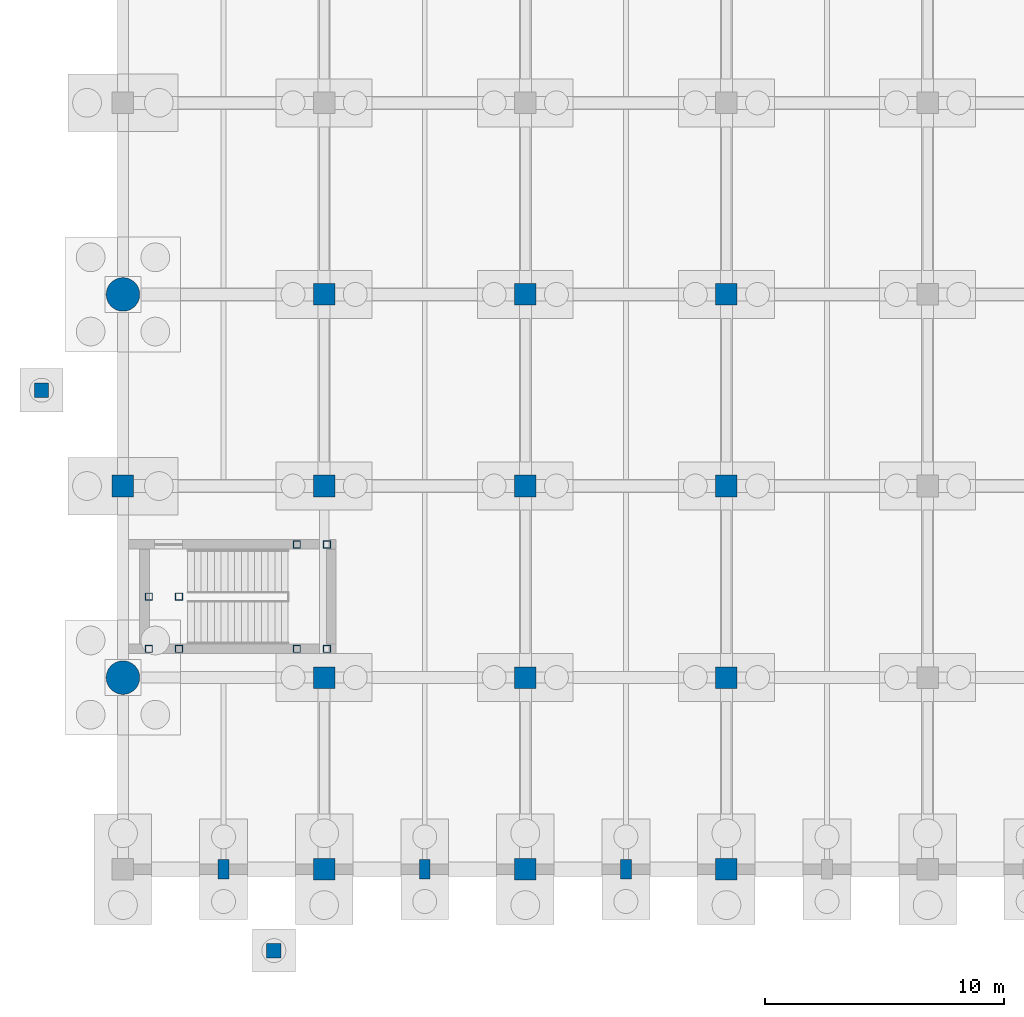
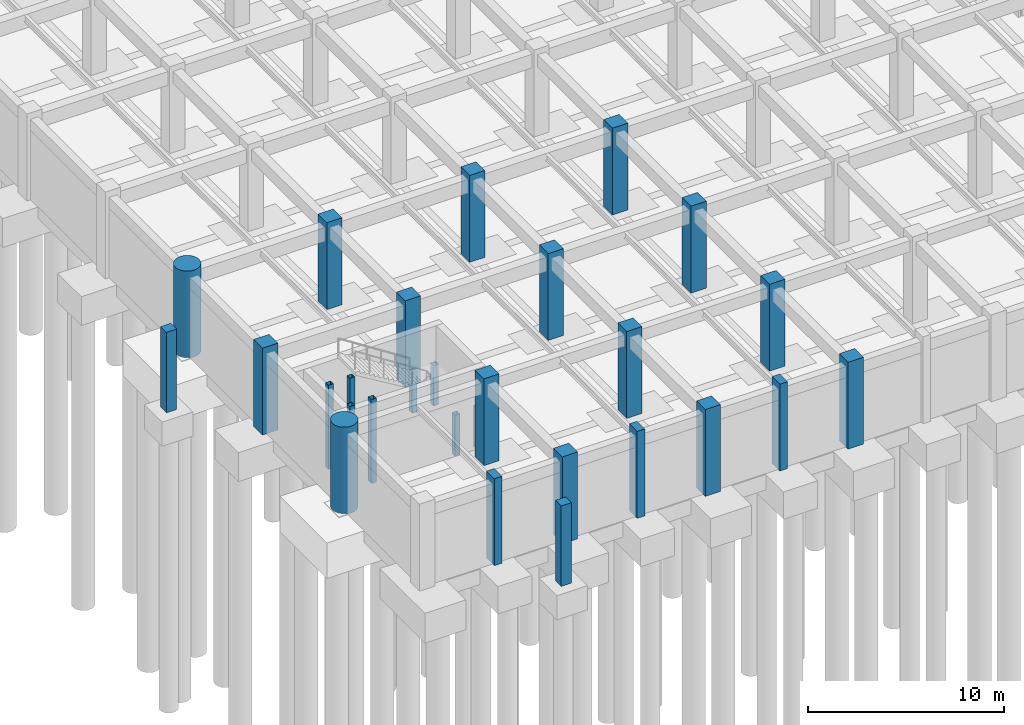
# One storey, part 11 of 56: 28 columns.
"""IFC4 building model written with IfcOpenShell, lengths in metres."""

from ifc_helpers import new_model, si_unit, direction, frame, origin, origin_2d, place, context, subcontext, project, spatial, rectangle, hollow_rectangle, circle, extrude, material, material_profile, profile_set, type_object, element, save


model = new_model("IFC4")

# Units and contexts
model_context = context("Model", 3, precision=1e-05, world=origin(), true_north=direction((0.0, 1.0)))
body_context = subcontext(model_context, "Body", "Model", "MODEL_VIEW")
ifc_project = project(units=[si_unit("LENGTHUNIT", "METRE"), si_unit("AREAUNIT", "SQUARE_METRE"), si_unit("VOLUMEUNIT", "CUBIC_METRE"), si_unit("PLANEANGLEUNIT", "RADIAN"), si_unit("MASSUNIT", "GRAM", prefix="KILO")], contexts=[model_context])

# Site, building, storey
site_placement = place(None, origin())
site = spatial("IfcSite", under=ifc_project, at=site_placement, CompositionType="ELEMENT")
building_placement = place(site_placement, origin())
building = spatial("IfcBuilding", under=site, at=building_placement, Name="Naruveol Harbour Congress Hotel", CompositionType="ELEMENT")
storey_placement = place(building_placement, frame((0.0, 0.0, -5.39990234375)))
storey = spatial("IfcBuildingStorey", under=building, at=storey_placement, Name="B01", CompositionType="ELEMENT", Elevation=-5.39990234375)

# Columns
ifc_material_1 = material(Name="Concrete C50/60", Category="concrete")
ifc_material_profile_1 = material_profile(ifc_material_1, rectangle(XDim=0.449951171875, YDim=0.800048828125, at=origin_2d()), Name="RC-450x800")
ifc_profile_set_1 = profile_set([ifc_material_profile_1], Name="Concrete C50/60")
column_type_1 = type_object("IfcColumnType", Name="RC ACOUSTIC WALL PILASTER 450X800", PredefinedType="PILASTER", material=ifc_profile_set_1)
for number, where, z_axis, x_axis, name in (
    (1, (4.199951171875, 0.0, 0.0), (0.0, 0.0, 1.0), (1.0, 0.0, 0.0), "Column PL-450 B01 (4.2,0.0)"),
    (2, (12.60009765625, 0.0, 0.0), (0.0, 0.0, 1.0), (1.0, 0.0, 0.0), "Column PL-450 B01 (12.6,0.0)"),
    (3, (21.0, 0.0, 0.0), (0.0, 0.0, 1.0), (1.0, 0.0, 0.0), "Column PL-450 B01 (21.0,0.0)"),
):
    element("IfcColumn", number, at=place(storey_placement, frame(where, z_axis=z_axis, x_axis=x_axis)), inside=storey, type_object=column_type_1, Name=name, PredefinedType="PILASTER", context=body_context, shape_type="SweptSolid", body=[
        extrude(rectangle(XDim=0.449951171875, YDim=0.800048828125, at=origin_2d()), origin(), (0.0, 0.0, 1.0), 5.39990234375),
    ])
ifc_material_2 = material(Name="Concrete C50/60", Category="concrete")
ifc_material_profile_2 = material_profile(ifc_material_2, circle(Radius=0.699951171875, at=origin_2d()), Name="RC-D1400")
ifc_profile_set_2 = profile_set([ifc_material_profile_2], Name="Concrete C50/60")
column_type_2 = type_object("IfcColumnType", Name="RC MEGA COLUMN D1400", PredefinedType="COLUMN", material=ifc_profile_set_2)
for number, where, z_axis, x_axis, name in (
    (4, (0.0, 8.0, 0.0), (0.0, 0.0, 1.0), (1.0, 0.0, 0.0), "Column C-MD1400 B01 (0.0,8.0)"),
    (5, (0.0, 24.0, 0.0), (0.0, 0.0, 1.0), (1.0, 0.0, 0.0), "Column C-MD1400 B01 (0.0,24.0)"),
):
    element("IfcColumn", number, at=place(storey_placement, frame(where, z_axis=z_axis, x_axis=x_axis)), inside=storey, type_object=column_type_2, Name=name, PredefinedType="COLUMN", context=body_context, shape_type="SweptSolid", body=[
        extrude(circle(Radius=0.699951171875, at=origin_2d()), origin(), (0.0, 0.0, 1.0), 5.39990234375),
    ])
ifc_material_3 = material(Name="Concrete C50/60", Category="concrete")
ifc_material_profile_3 = material_profile(ifc_material_3, rectangle(XDim=0.89990234375, YDim=0.89990234375, at=origin_2d()), Name="RC-900x900")
ifc_profile_set_3 = profile_set([ifc_material_profile_3], Name="Concrete C50/60")
column_type_3 = type_object("IfcColumnType", Name="RC PRIMARY COLUMN 900X900", PredefinedType="COLUMN", material=ifc_profile_set_3)
for number, where, z_axis, x_axis, name in (
    (6, (0.0, 16.0, 0.0), (0.0, 0.0, 1.0), (1.0, 0.0, 0.0), "Column C-900 B01 (0.0,16.0)"),
    (7, (8.39990234375, 0.0, 0.0), (0.0, 0.0, 1.0), (1.0, 0.0, 0.0), "Column C-900 B01 (8.4,0.0)"),
    (8, (8.39990234375, 8.0, 0.0), (0.0, 0.0, 1.0), (1.0, 0.0, 0.0), "Column C-900 B01 (8.4,8.0)"),
    (9, (8.39990234375, 16.0, 0.0), (0.0, 0.0, 1.0), (1.0, 0.0, 0.0), "Column C-900 B01 (8.4,16.0)"),
    (10, (8.39990234375, 24.0, 0.0), (0.0, 0.0, 1.0), (1.0, 0.0, 0.0), "Column C-900 B01 (8.4,24.0)"),
    (11, (16.800048828125, 0.0, 0.0), (0.0, 0.0, 1.0), (1.0, 0.0, 0.0), "Column C-900 B01 (16.8,0.0)"),
    (12, (16.800048828125, 8.0, 0.0), (0.0, 0.0, 1.0), (1.0, 0.0, 0.0), "Column C-900 B01 (16.8,8.0)"),
    (13, (16.800048828125, 16.0, 0.0), (0.0, 0.0, 1.0), (1.0, 0.0, 0.0), "Column C-900 B01 (16.8,16.0)"),
    (14, (16.800048828125, 24.0, 0.0), (0.0, 0.0, 1.0), (1.0, 0.0, 0.0), "Column C-900 B01 (16.8,24.0)"),
    (15, (25.199951171875, 0.0, 0.0), (0.0, 0.0, 1.0), (1.0, 0.0, 0.0), "Column C-900 B01 (25.2,0.0)"),
    (16, (25.199951171875, 8.0, 0.0), (0.0, 0.0, 1.0), (1.0, 0.0, 0.0), "Column C-900 B01 (25.2,8.0)"),
    (17, (25.199951171875, 16.0, 0.0), (0.0, 0.0, 1.0), (1.0, 0.0, 0.0), "Column C-900 B01 (25.2,16.0)"),
    (18, (25.199951171875, 24.0, 0.0), (0.0, 0.0, 1.0), (1.0, 0.0, 0.0), "Column C-900 B01 (25.2,24.0)"),
):
    element("IfcColumn", number, at=place(storey_placement, frame(where, z_axis=z_axis, x_axis=x_axis)), inside=storey, type_object=column_type_3, Name=name, PredefinedType="COLUMN", context=body_context, shape_type="SweptSolid", body=[
        extrude(rectangle(XDim=0.89990234375, YDim=0.89990234375, at=origin_2d()), origin(), (0.0, 0.0, 1.0), 5.39990234375),
    ])
ifc_material_4 = material(Name="Concrete C40/50", Category="concrete")
ifc_material_profile_4 = material_profile(ifc_material_4, rectangle(XDim=0.60009765625, YDim=0.60009765625, at=origin_2d()), Name="RC-600x600")
ifc_profile_set_4 = profile_set([ifc_material_profile_4], Name="Concrete C40/50")
column_type_4 = type_object("IfcColumnType", Name="RC UPPER COLUMN 600X600", PredefinedType="COLUMN", material=ifc_profile_set_4)
for number, where, z_axis, x_axis, name in (
    (19, (-3.39990234375, 20.0, 0.0), (0.0, 0.0, 1.0), (1.0, 0.0, 0.0), "Column C-600 B01 (-3.4,20.0)"),
    (20, (6.300048828125, -3.39990234375, 0.0), (0.0, 0.0, 1.0), (1.0, 0.0, 0.0), "Column C-600 B01 (6.3,-3.4)"),
):
    element("IfcColumn", number, at=place(storey_placement, frame(where, z_axis=z_axis, x_axis=x_axis)), inside=storey, type_object=column_type_4, Name=name, PredefinedType="COLUMN", context=body_context, shape_type="SweptSolid", body=[
        extrude(rectangle(XDim=0.60009765625, YDim=0.60009765625, at=origin_2d()), origin(), (0.0, 0.0, 1.0), 5.0),
    ])
ifc_material_5 = material(Name="Steel SN490", Category="steel")
ifc_material_profile_5 = material_profile(ifc_material_5, hollow_rectangle(XDim=0.300048828125, YDim=0.300048828125, WallThickness=0.011962890625, at=origin_2d()), Name="SHS-300x300x12")
ifc_profile_set_5 = profile_set([ifc_material_profile_5], Name="Steel SN490")
column_type_5 = type_object("IfcColumnType", Name="STEEL COLONNADE POST SHS300", PredefinedType="COLUMN", material=ifc_profile_set_5)
for number, where, z_axis, x_axis, name in (
    (21, (1.080078125, 9.199951171875, 0.0), (0.0, 0.0, 1.0), (1.0, 0.0, 0.0), "Stair landing support post ST5W #337"),
    (22, (1.080078125, 11.3798828125, 0.0), (0.0, 0.0, 1.0), (1.0, 0.0, 0.0), "Stair landing support post ST5W #340"),
    (23, (2.340087890625, 9.199951171875, 0.0), (0.0, 0.0, 1.0), (1.0, 0.0, 0.0), "Stair landing support post ST5W #343"),
    (24, (2.340087890625, 11.3798828125, 0.0), (0.0, 0.0, 1.0), (1.0, 0.0, 0.0), "Stair landing support post ST5W #346"),
):
    element("IfcColumn", number, at=place(storey_placement, frame(where, z_axis=z_axis, x_axis=x_axis)), inside=storey, type_object=column_type_5, Name=name, PredefinedType="COLUMN", context=body_context, shape_type="SweptSolid", body=[
        extrude(hollow_rectangle(XDim=0.300048828125, YDim=0.300048828125, WallThickness=0.011962890625, at=origin_2d()), origin(), (0.0, 0.0, 1.0), 5.219970703125),
    ])
for number, where, z_axis, x_axis, name in (
    (25, (7.260009765625, 9.199951171875, 0.0), (0.0, 0.0, 1.0), (1.0, 0.0, 0.0), "Stair landing support post ST5E #349"),
    (26, (7.260009765625, 13.56005859375, 0.0), (0.0, 0.0, 1.0), (1.0, 0.0, 0.0), "Stair landing support post ST5E #352"),
    (27, (8.52001953125, 9.199951171875, 0.0), (0.0, 0.0, 1.0), (1.0, 0.0, 0.0), "Stair landing support post ST5E #355"),
    (28, (8.52001953125, 13.56005859375, 0.0), (0.0, 0.0, 1.0), (1.0, 0.0, 0.0), "Stair landing support post ST5E #358"),
):
    element("IfcColumn", number, at=place(storey_placement, frame(where, z_axis=z_axis, x_axis=x_axis)), inside=storey, type_object=column_type_5, Name=name, PredefinedType="COLUMN", context=body_context, shape_type="SweptSolid", body=[
        extrude(hollow_rectangle(XDim=0.300048828125, YDim=0.300048828125, WallThickness=0.011962890625, at=origin_2d()), origin(), (0.0, 0.0, 1.0), 2.52001953125),
    ])

save(model, "model.ifc")
